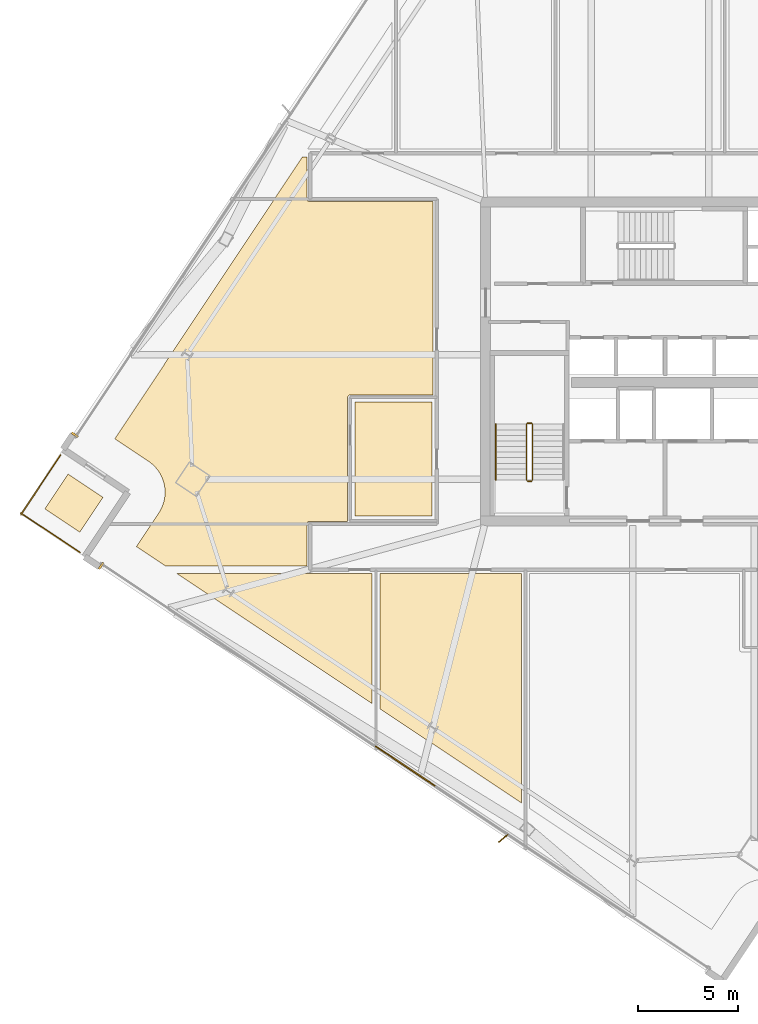
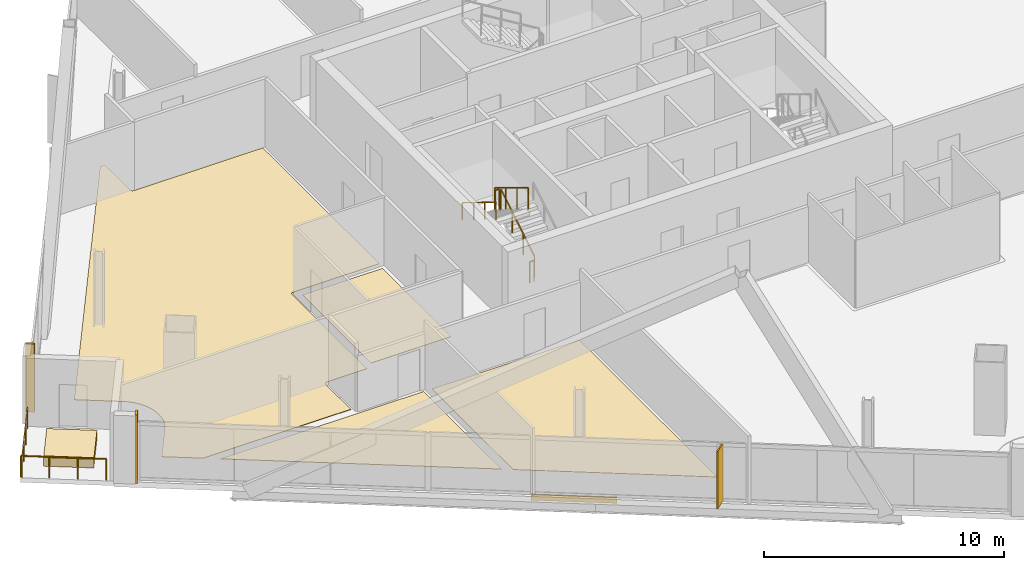
# One storey, part 28 of 32: 8 coverings, 7 railings, 1 shading device.
"""IFC4 building model written with IfcOpenShell, lengths in metres."""

from ifc_helpers import new_model, si_unit, direction, frame, origin, origin_2d, place, context, subcontext, project, spatial, polyline, rectangle, outline, extrude, source, transform, mapped, material, layer, layer_set, type_object, element, save


model = new_model("IFC4")

# Units and contexts
model_context = context("Model", 3, precision=1e-05, world=origin(), true_north=direction((0.0, 1.0)))
body_context = subcontext(model_context, "Body", "Model", "MODEL_VIEW")
ifc_project = project(units=[si_unit("LENGTHUNIT", "METRE"), si_unit("AREAUNIT", "SQUARE_METRE"), si_unit("VOLUMEUNIT", "CUBIC_METRE"), si_unit("PLANEANGLEUNIT", "RADIAN"), si_unit("MASSUNIT", "GRAM", prefix="KILO")], contexts=[model_context])

# Site, building, storey
site_placement = place(None, origin())
site = spatial("IfcSite", under=ifc_project, at=site_placement, CompositionType="ELEMENT")
building_placement = place(site_placement, origin())
building = spatial("IfcBuilding", under=site, at=building_placement, Name="Haldenkirk Collegiate Tower", CompositionType="ELEMENT")
storey_placement = place(building_placement, frame((0.0, 0.0, 217.199951171875)))
storey = spatial("IfcBuildingStorey", under=building, at=storey_placement, Name="L54", CompositionType="ELEMENT", Elevation=217.199951171875)

# Coverings
ifc_material_1 = material(Name="Polished collegiate terrazzo", Category="concrete")
ifc_layer_1 = layer(ifc_material_1, 0.02490234375)
ifc_layer_set_1 = layer_set([ifc_layer_1], Name="Polished collegiate terrazzo")
covering_type_1 = type_object("IfcCoveringType", Name="COV-FLOOR-TERRAZZO", PredefinedType="FLOORING", material=ifc_layer_set_1)
covering_1_placement = place(storey_placement, origin())
element("IfcCovering", 1, at=covering_1_placement, inside=storey, type_object=covering_type_1, Name="L54 academic room finish 02", PredefinedType="FLOORING", context=body_context, shape_type="SweptSolid", body=[
    extrude(outline(polyline([(11.5205078125, 15.35009765625), (21.300048828125, 15.35009765625), (21.300048828125, 8.840087890625), (11.5205078125, 15.35009765625)])), origin(), (0.0, 0.0, 1.0), 0.025146484375),
])
covering_2_placement = place(storey_placement, origin())
element("IfcCovering", 2, at=covering_2_placement, inside=storey, type_object=covering_type_1, Name="L54 academic room finish 10", PredefinedType="FLOORING", context=body_context, shape_type="SweptSolid", body=[
    extrude(outline(polyline([(10.602783203125, 18.3994140625), (10.60595703125, 18.404541015625), (10.694091796875, 18.552001953125), (10.69970703125, 18.562255859375), (10.772705078125, 18.7177734375), (10.77734375, 18.728515625), (10.834716796875, 18.890380859375), (10.838134765625, 18.901611328125), (10.879638671875, 19.068359375), (10.8818359375, 19.079833984375), (10.90673828125, 19.249755859375), (10.907958984375, 19.261474609375), (10.916015625, 19.43310546875), (10.916015625, 19.44482421875), (10.9072265625, 19.616455078125), (10.90625, 19.628173828125), (10.880615234375, 19.7978515625), (10.87841796875, 19.8095703125), (10.83642578125, 19.97607421875), (10.8330078125, 19.9873046875), (10.774658203125, 20.14892578125), (10.770263671875, 20.15966796875), (10.696533203125, 20.31494140625), (10.69091796875, 20.3251953125), (10.602294921875, 20.472412109375), (10.595947265625, 20.482177734375), (10.493408203125, 20.6201171875), (10.485595703125, 20.629150390625), (10.3701171875, 20.756103515625), (10.36181640625, 20.764404296875), (10.234375, 20.87939453125), (10.225341796875, 20.886962890625), (10.087158203125, 20.989013671875), (10.08251953125, 20.992431640625), (8.392578125, 22.1171875), (17.800048828125, 36.25), (18.030029296875, 36.25), (18.030029296875, 34.14990234375), (18.030517578125, 34.13818359375), (18.0322265625, 34.126708984375), (18.03515625, 34.115234375), (18.0390625, 34.10400390625), (18.044189453125, 34.093505859375), (18.05029296875, 34.083251953125), (18.05712890625, 34.073974609375), (18.065185546875, 34.065185546875), (18.073974609375, 34.05712890625), (18.083251953125, 34.05029296875), (18.093505859375, 34.044189453125), (18.10400390625, 34.0390625), (18.115234375, 34.03515625), (18.126708984375, 34.0322265625), (18.13818359375, 34.030517578125), (18.14990234375, 34.030029296875), (24.35009765625, 34.030029296875), (24.35009765625, 24.320068359375), (20.199951171875, 24.320068359375), (20.188232421875, 24.3193359375), (20.176513671875, 24.317626953125), (20.165283203125, 24.314697265625), (20.154052734375, 24.310791015625), (20.143310546875, 24.305908203125), (20.13330078125, 24.2998046875), (20.123779296875, 24.292724609375), (20.114990234375, 24.284912109375), (20.107177734375, 24.276123046875), (20.10009765625, 24.2666015625), (20.09423828125, 24.256591796875), (20.089111328125, 24.245849609375), (20.085205078125, 24.23486328125), (20.082275390625, 24.223388671875), (20.08056640625, 24.2119140625), (20.080078125, 24.199951171875), (20.080078125, 18.0), (20.08056640625, 17.98828125), (20.082275390625, 17.9765625), (20.083984375, 17.969970703125), (18.14990234375, 17.969970703125), (18.13818359375, 17.969482421875), (18.126708984375, 17.9677734375), (18.115234375, 17.96484375), (18.10400390625, 17.9609375), (18.093505859375, 17.955810546875), (18.083251953125, 17.94970703125), (18.073974609375, 17.94287109375), (18.065185546875, 17.934814453125), (18.05712890625, 17.926025390625), (18.05029296875, 17.916748046875), (18.044189453125, 17.906494140625), (18.0390625, 17.89599609375), (18.03515625, 17.884765625), (18.0322265625, 17.873291015625), (18.030517578125, 17.86181640625), (18.030029296875, 17.85009765625), (18.030029296875, 15.75), (10.919677734375, 15.75), (9.47802734375, 16.709716796875), (10.602783203125, 18.3994140625)])), origin(), (0.0, 0.0, 1.0), 0.025146484375),
])
ifc_material_2 = material(Name="Engineered collegiate oak acoustic flooring", Category="wood")
ifc_layer_2 = layer(ifc_material_2, 0.02197265625)
ifc_layer_set_2 = layer_set([ifc_layer_2], Name="Engineered collegiate oak acoustic flooring")
covering_type_2 = type_object("IfcCoveringType", Name="COV-FLOOR-TIMBER", PredefinedType="FLOORING", material=ifc_layer_set_2)
covering_3_placement = place(storey_placement, origin())
element("IfcCovering", 3, at=covering_3_placement, inside=storey, type_object=covering_type_2, Name="L54 academic room finish 01", PredefinedType="FLOORING", context=body_context, shape_type="SweptSolid", body=[
    extrude(outline(polyline([(20.43994140625, 18.239990234375), (20.43994140625, 23.9599609375), (24.300048828125, 23.9599609375), (24.300048828125, 18.239990234375), (20.43994140625, 18.239990234375)])), origin(), (0.0, 0.0, 1.0), 0.02197265625),
])
covering_4_placement = place(storey_placement, origin())
element("IfcCovering", 4, at=covering_4_placement, inside=storey, type_object=covering_type_2, Name="L54 academic room finish 03", PredefinedType="FLOORING", context=body_context, shape_type="SweptSolid", body=[
    extrude(outline(polyline([(21.699951171875, 8.573974609375), (21.699951171875, 15.35009765625), (28.800048828125, 15.35009765625), (28.800048828125, 3.84765625), (21.699951171875, 8.573974609375)])), origin(), (0.0, 0.0, 1.0), 0.02197265625),
])
ifc_material_3 = material(Name="Precast concrete f'c 40 MPa", Category="concrete")
ifc_layer_3 = layer(ifc_material_3, 0.449951171875)
ifc_layer_set_3 = layer_set([ifc_layer_3], Name="Precast concrete f'c 40 MPa")
covering_type_3 = type_object("IfcCoveringType", Name="COV-PLANTER-450", PredefinedType="USERDEFINED", material=ifc_layer_set_3)
covering_5_placement = place(storey_placement, origin())
element("IfcCovering", 5, at=covering_5_placement, inside=storey, type_object=covering_type_3, Name="L54 planted garden planter bed", ObjectType="PLANTER", PredefinedType="USERDEFINED", context=body_context, shape_type="SweptSolid", body=[
    extrude(outline(polyline([(6.634521484375, 17.43701171875), (4.886474609375, 18.6005859375), (6.050048828125, 20.348876953125), (7.79833984375, 19.185302734375), (6.634521484375, 17.43701171875)])), origin(), (0.0, 0.0, 1.0), 0.449951171875),
])

# Railings
ifc_material_4 = material(Name="Painted architectural tubular steel", Category="steel")
railing_type_1 = type_object("IfcRailingType", Name="RLG-STAIR-GUARD-1100", PredefinedType="BALUSTRADE", material=ifc_material_4)
railing_1_placement = place(storey_placement, frame((29.35009765625, 20.050048828125, 0.17041015625)))
element("IfcRailing", 6, at=railing_1_placement, inside=storey, type_object=railing_type_1, Name="L54 ST-1 stair guard 1", PredefinedType="BALUSTRADE", context=body_context, shape_type="SweptSolid", body=[
    extrude(rectangle(XDim=0.048095703125, YDim=0.048095703125, at=origin_2d()), frame((0.0, 0.0, 1.076171875), z_axis=(0.0, 0.854169791009, 0.51999420009), x_axis=(-1.0, 0.0, 0.0)), (0.0, 0.0, 1.0), 3.278076171875),
    extrude(rectangle(XDim=0.0419921875, YDim=0.0419921875, at=origin_2d()), origin(), (0.0, 0.0, 1.0), 1.052001953125),
    extrude(rectangle(XDim=0.0419921875, YDim=0.0419921875, at=origin_2d()), frame((0.0, 0.933349609375, 0.568115234375)), (0.0, 0.0, 1.0), 1.052001953125),
    extrude(rectangle(XDim=0.0419921875, YDim=0.0419921875, at=origin_2d()), frame((0.0, 1.86669921875, 1.136474609375)), (0.0, 0.0, 1.0), 1.052001953125),
    extrude(rectangle(XDim=0.0419921875, YDim=0.0419921875, at=origin_2d()), frame((0.0, 2.800048828125, 1.70458984375)), (0.0, 0.0, 1.0), 1.052001953125),
])
railing_2_placement = place(storey_placement, frame((29.300048828125, 22.89990234375, 1.875)))
element("IfcRailing", 7, at=railing_2_placement, inside=storey, type_object=railing_type_1, Name="L54 ST-1 stair guard 2", PredefinedType="BALUSTRADE", context=body_context, shape_type="SweptSolid", body=[
    extrude(rectangle(XDim=0.048095703125, YDim=0.048095703125, at=origin_2d()), frame((0.0, 0.0, 1.076171875), z_axis=(-1.0, 0.0, 0.0), x_axis=(0.0, -1.0, 0.0)), (0.0, 0.0, 1.0), 0.199951171875),
    extrude(rectangle(XDim=0.0419921875, YDim=0.0419921875, at=origin_2d()), origin(), (0.0, 0.0, 1.0), 1.052001953125),
    extrude(rectangle(XDim=0.0419921875, YDim=0.0419921875, at=origin_2d()), frame((-0.199951171875, 0.0, 0.0)), (0.0, 0.0, 1.0), 1.052001953125),
])
railing_3_placement = place(storey_placement, frame((29.050048828125, 22.85009765625, 2.04541015625)))
element("IfcRailing", 8, at=railing_3_placement, inside=storey, type_object=railing_type_1, Name="L54 ST-1 stair guard 3", PredefinedType="BALUSTRADE", context=body_context, shape_type="SweptSolid", body=[
    extrude(rectangle(XDim=0.048095703125, YDim=0.048095703125, at=origin_2d()), frame((0.0, 0.0, 1.076171875), z_axis=(0.0, -0.854169791009, 0.51999420009), x_axis=(1.0, 0.0, 0.0)), (0.0, 0.0, 1.0), 3.278076171875),
    extrude(rectangle(XDim=0.0419921875, YDim=0.0419921875, at=origin_2d()), origin(), (0.0, 0.0, 1.0), 1.052001953125),
    extrude(rectangle(XDim=0.0419921875, YDim=0.0419921875, at=origin_2d()), frame((0.0, -0.933349609375, 0.568115234375)), (0.0, 0.0, 1.0), 1.052001953125),
    extrude(rectangle(XDim=0.0419921875, YDim=0.0419921875, at=origin_2d()), frame((0.0, -1.86669921875, 1.136474609375)), (0.0, 0.0, 1.0), 1.052001953125),
    extrude(rectangle(XDim=0.0419921875, YDim=0.0419921875, at=origin_2d()), frame((0.0, -2.800048828125, 1.70458984375)), (0.0, 0.0, 1.0), 1.052001953125),
])
railing_4_placement = place(storey_placement, frame((29.300048828125, 20.0, 0.0)))
element("IfcRailing", 9, at=railing_4_placement, inside=storey, type_object=railing_type_1, Name="L54 ST-1 stair guard 4", PredefinedType="BALUSTRADE", context=body_context, shape_type="SweptSolid", body=[
    extrude(rectangle(XDim=0.048095703125, YDim=0.048095703125, at=origin_2d()), frame((0.0, 0.0, 1.076171875), z_axis=(-1.0, 0.0, 0.0), x_axis=(0.0, -1.0, 0.0)), (0.0, 0.0, 1.0), 0.199951171875),
    extrude(rectangle(XDim=0.0419921875, YDim=0.0419921875, at=origin_2d()), origin(), (0.0, 0.0, 1.0), 1.052001953125),
    extrude(rectangle(XDim=0.0419921875, YDim=0.0419921875, at=origin_2d()), frame((-0.199951171875, 0.0, 0.0)), (0.0, 0.0, 1.0), 1.052001953125),
])
railing_type_2 = type_object("IfcRailingType", Name="RLG-STAIR-HANDRAIL-900", PredefinedType="HANDRAIL", material=ifc_material_4)
railing_5_placement = place(storey_placement, frame((27.5, 22.85009765625, 2.04541015625)))
element("IfcRailing", 10, at=railing_5_placement, inside=storey, type_object=railing_type_2, Name="L54 ST-1 stair handrail 2", PredefinedType="HANDRAIL", context=body_context, shape_type="SweptSolid", body=[
    extrude(rectangle(XDim=0.048095703125, YDim=0.048095703125, at=origin_2d()), frame((0.0, 0.0, 0.8759765625), z_axis=(0.0, -0.854169791009, 0.51999420009), x_axis=(1.0, 0.0, 0.0)), (0.0, 0.0, 1.0), 3.278076171875),
    extrude(rectangle(XDim=0.0419921875, YDim=0.0419921875, at=origin_2d()), origin(), (0.0, 0.0, 1.0), 0.851806640625),
    extrude(rectangle(XDim=0.0419921875, YDim=0.0419921875, at=origin_2d()), frame((0.0, -0.933349609375, 0.568115234375)), (0.0, 0.0, 1.0), 0.851806640625),
    extrude(rectangle(XDim=0.0419921875, YDim=0.0419921875, at=origin_2d()), frame((0.0, -1.86669921875, 1.136474609375)), (0.0, 0.0, 1.0), 0.851806640625),
    extrude(rectangle(XDim=0.0419921875, YDim=0.0419921875, at=origin_2d()), frame((0.0, -2.800048828125, 1.70458984375)), (0.0, 0.0, 1.0), 0.851806640625),
])
ifc_material_5 = material(Name="Anodised architectural bronze aluminium", Category="aluminium")
railing_type_3 = type_object("IfcRailingType", Name="RLG-TERR-BALUSTRADE-1100", PredefinedType="BALUSTRADE", material=ifc_material_5)
railing_6_placement = place(storey_placement, frame((5.672119140625, 21.297119140625, 0.0)))
element("IfcRailing", 11, at=railing_6_placement, inside=storey, type_object=railing_type_3, Name="L54 terrace guard balustrade 3-1", PredefinedType="BALUSTRADE", context=body_context, shape_type="SweptSolid", body=[
    extrude(rectangle(XDim=0.048095703125, YDim=0.048095703125, at=origin_2d()), frame((0.0, 0.0, 1.076171875), z_axis=(-0.554086288195, -0.832459239383, 0.0), x_axis=(0.832459239383, -0.554086288195, 0.0)), (0.0, 0.0, 1.0), 3.580078125),
    extrude(rectangle(XDim=0.0419921875, YDim=0.0419921875, at=origin_2d()), origin(), (0.0, 0.0, 1.0), 1.052001953125),
    extrude(rectangle(XDim=0.0419921875, YDim=0.0419921875, at=origin_2d()), frame((-0.6611328125, -0.993408203125, 0.0)), (0.0, 0.0, 1.0), 1.052001953125),
    extrude(rectangle(XDim=0.0419921875, YDim=0.0419921875, at=origin_2d()), frame((-1.322509765625, -1.98681640625, 0.0)), (0.0, 0.0, 1.0), 1.052001953125),
    extrude(rectangle(XDim=0.0419921875, YDim=0.0419921875, at=origin_2d()), frame((-1.983642578125, -2.980224609375, 0.0)), (0.0, 0.0, 1.0), 1.052001953125),
])
railing_7_placement = place(storey_placement, frame((3.671875, 18.400146484375, 0.0)))
element("IfcRailing", 12, at=railing_7_placement, inside=storey, type_object=railing_type_3, Name="L54 terrace guard balustrade 4-1", PredefinedType="BALUSTRADE", context=body_context, shape_type="SweptSolid", body=[
    extrude(rectangle(XDim=0.048095703125, YDim=0.048095703125, at=origin_2d()), frame((0.0, 0.0, 1.076171875), z_axis=(0.832459239383, -0.554086288195, 0.0), x_axis=(0.554086288195, 0.832459239383, 0.0)), (0.0, 0.0, 1.0), 3.580078125),
    extrude(rectangle(XDim=0.0419921875, YDim=0.0419921875, at=origin_2d()), origin(), (0.0, 0.0, 1.0), 1.052001953125),
    extrude(rectangle(XDim=0.0419921875, YDim=0.0419921875, at=origin_2d()), frame((0.993408203125, -0.6611328125, 0.0)), (0.0, 0.0, 1.0), 1.052001953125),
    extrude(rectangle(XDim=0.0419921875, YDim=0.0419921875, at=origin_2d()), frame((1.98681640625, -1.322509765625, 0.0)), (0.0, 0.0, 1.0), 1.052001953125),
    extrude(rectangle(XDim=0.0419921875, YDim=0.0419921875, at=origin_2d()), frame((2.980224609375, -1.983642578125, 0.0)), (0.0, 0.0, 1.0), 1.052001953125),
])

# Coverings
ifc_layer_4 = layer(ifc_material_5, 0.06005859375)
ifc_layer_set_4 = layer_set([ifc_layer_4], Name="Anodised architectural bronze aluminium")
covering_type_4 = type_object("IfcCoveringType", Name="COV-CLAD-BRONZE-60", PredefinedType="CLADDING", material=ifc_layer_set_4)
shared_shape_1 = source(origin(), body_context, "Body", "SweptSolid", [
    extrude(rectangle(XDim=3.60009765625, YDim=0.06005859375, at=origin_2d()), origin(), (0.0, 0.0, 1.0), 0.300048828125),
])
covering_6_placement = place(storey_placement, frame((22.967529296875, 5.699951171875, -0.2998046875), z_axis=(0.0, 0.0, 1.0), x_axis=(-0.832437998389, 0.554118199338, 0.0)))
element("IfcCovering", 13, at=covering_6_placement, inside=storey, type_object=covering_type_4, Name="L54 architectural bronze spandrel cladding W", PredefinedType="CLADDING", context=body_context, shape_type="MappedRepresentation", body=[
    mapped(shared_shape_1, transform((0.0, 0.0, 0.0), x_axis=(1.0, 0.0, 0.0), y_axis=(0.0, 1.0, 0.0), z_axis=(0.0, 0.0, 1.0), scale=1.0)),
])
shared_shape_2 = source(origin(), body_context, "Body", "SweptSolid", [
    extrude(rectangle(XDim=0.10009765625, YDim=0.3798828125, at=origin_2d()), origin(), (0.0, 0.0, 1.0), 3.469970703125),
])
for number, where, z_axis, x_axis, name in (
    (14, (6.389892578125, 22.321044921875, 0.0), (0.0, 0.0, 1.0), (0.554118199338, 0.832437998389, 0.0), "L54 recessed curtain-wall bronze jamb closure NJL"),
    (15, (7.708984375, 15.748779296875, 0.0), (0.0, 0.0, 1.0), (-0.832437998389, 0.554118199338, 0.0), "L54 recessed curtain-wall bronze jamb closure WJR"),
):
    element("IfcCovering", number, at=place(storey_placement, frame(where, z_axis=z_axis, x_axis=x_axis)), inside=storey, type_object=covering_type_4, Name=name, PredefinedType="CLADDING", context=body_context, shape_type="MappedRepresentation", body=[
        mapped(shared_shape_2, transform((0.0, 0.0, 0.0), x_axis=(1.0, 0.0, 0.0), y_axis=(0.0, 1.0, 0.0), z_axis=(0.0, 0.0, 1.0), scale=1.0)),
    ])

# Shading device
ifc_layer_5 = layer(ifc_material_5, 0.06494140625)
ifc_layer_set_5 = layer_set([ifc_layer_5], Name="Anodised architectural bronze aluminium")
shading_device_type = type_object("IfcShadingDeviceType", Name="SHD-FIN-BRONZE-620", PredefinedType="USERDEFINED", material=ifc_layer_set_5)
shared_shape_3 = source(origin(), body_context, "Body", "SweptSolid", [
    extrude(rectangle(XDim=0.6201171875, YDim=0.06494140625, at=origin_2d()), origin(), (0.0, 0.0, 1.0), 2.927978515625),
])
shading_device_placement = place(storey_placement, frame((27.882080078125, 2.07421875, 0.0), z_axis=(0.0, 0.0, 1.0), x_axis=(-0.762103608804, -0.647455086819, 0.0)))
element("IfcShadingDevice", 16, at=shading_device_placement, inside=storey, type_object=shading_device_type, Name="L54 folded bronze solar fin 1", ObjectType="FIN", PredefinedType="USERDEFINED", context=body_context, shape_type="MappedRepresentation", body=[
    mapped(shared_shape_3, transform((0.0, 0.0, 0.0), x_axis=(1.0, 0.0, 0.0), y_axis=(0.0, 1.0, 0.0), z_axis=(0.0, 0.0, 1.0), scale=1.0)),
])

save(model, "model.ifc")
